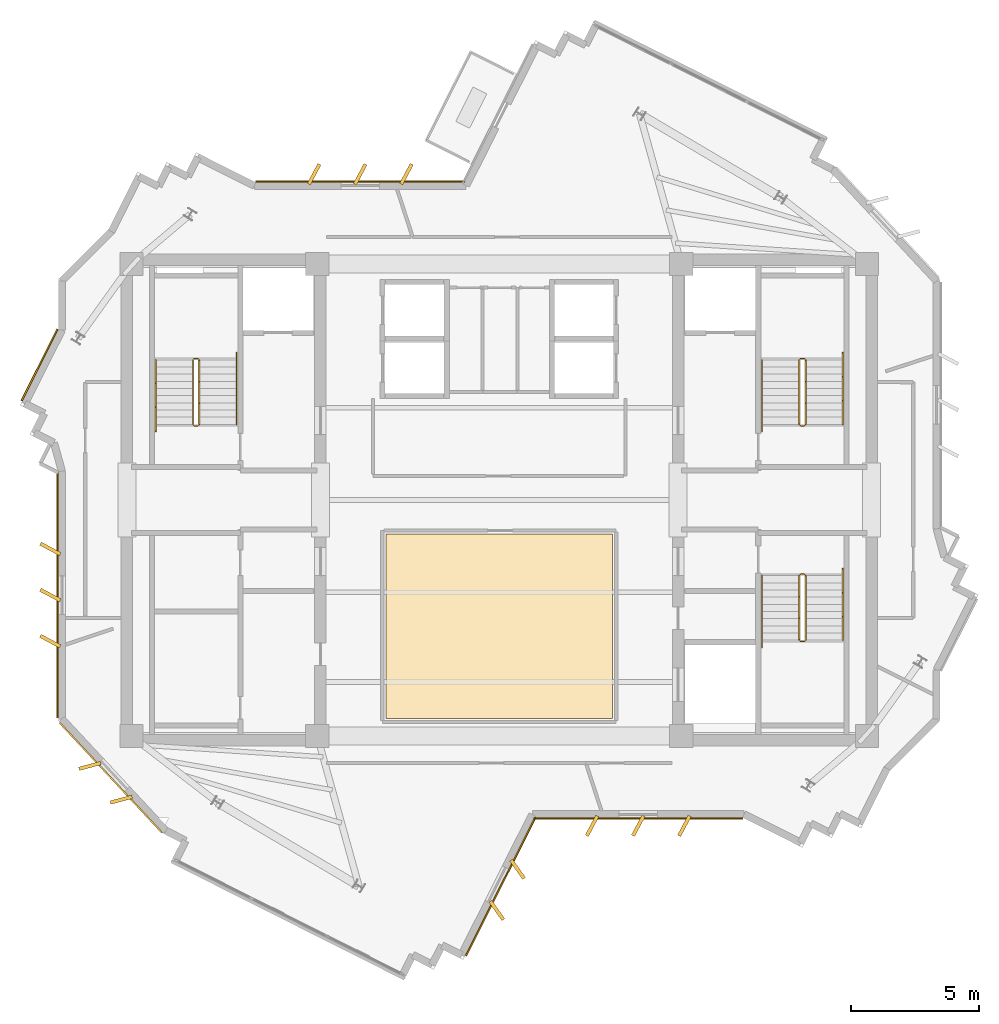
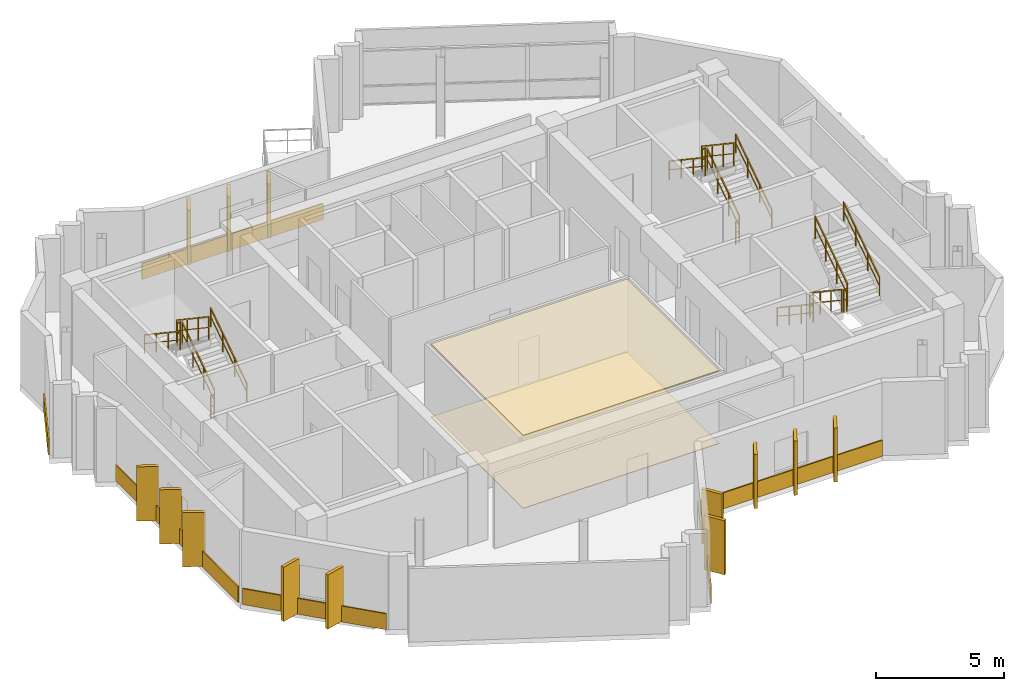
# One storey, part 10 of 11: 21 coverings, 18 railings.
"""IFC4 building model written with IfcOpenShell, lengths in metres."""

from ifc_helpers import new_model, si_unit, direction, frame, origin, origin_2d, place, context, subcontext, project, spatial, polyline, rectangle, outline, extrude, source, transform, mapped, material, layer, layer_set, type_object, element, save


model = new_model("IFC4")

# Units and contexts
model_context = context("Model", 3, precision=1e-05, world=origin(), true_north=direction((0.0, 1.0)))
body_context = subcontext(model_context, "Body", "Model", "MODEL_VIEW")
ifc_project = project(units=[si_unit("LENGTHUNIT", "METRE"), si_unit("AREAUNIT", "SQUARE_METRE"), si_unit("VOLUMEUNIT", "CUBIC_METRE"), si_unit("PLANEANGLEUNIT", "RADIAN"), si_unit("MASSUNIT", "GRAM", prefix="KILO")], contexts=[model_context])

# Site, building, storey
site_placement = place(None, origin())
site = spatial("IfcSite", under=ifc_project, at=site_placement, CompositionType="ELEMENT")
building_placement = place(site_placement, origin())
building = spatial("IfcBuilding", under=site, at=building_placement, Name="Zahravan Cultural Tower", CompositionType="ELEMENT")
storey_placement = place(building_placement, frame((0.0, 0.0, 353.550048828125)))
storey = spatial("IfcBuildingStorey", under=building, at=storey_placement, Name="L86", CompositionType="ELEMENT", Elevation=353.550048828125)

# Coverings
ifc_material_1 = material(Name="Acoustic mineral fibreboard")
ifc_layer_1 = layer(ifc_material_1, 0.0400390625)
ifc_layer_set_1 = layer_set([ifc_layer_1], Name="Acoustic mineral fibreboard")
covering_type_1 = type_object("IfcCoveringType", Name="COV-CEIL-AC20", PredefinedType="CEILING", material=ifc_layer_set_1)
covering_1_placement = place(storey_placement, frame((0.0, 0.0, 3.4599609375)))
element("IfcCovering", 1, at=covering_1_placement, inside=storey, type_object=covering_type_1, Name="L86 Acoustic Suspended Ceiling", PredefinedType="CEILING", context=body_context, shape_type="SweptSolid", body=[
    extrude(outline(polyline([(40.419921875, 25.669921875), (31.580078125, 25.669921875), (31.580078125, 18.47998046875), (40.419921875, 18.47998046875), (40.419921875, 25.669921875)])), origin(), (0.0, 0.0, 1.0), 0.0400390625),
])
ifc_material_2 = material(Name="Terrazzo flooring")
ifc_layer_2 = layer(ifc_material_2, 0.02490234375)
ifc_layer_set_2 = layer_set([ifc_layer_2], Name="Terrazzo flooring")
covering_type_2 = type_object("IfcCoveringType", Name="COV-FLR-TZ25", PredefinedType="FLOORING", material=ifc_layer_set_2)
covering_2_placement = place(storey_placement, origin())
element("IfcCovering", 2, at=covering_2_placement, inside=storey, type_object=covering_type_2, Name="L86 Polished Terrazzo Flooring", PredefinedType="FLOORING", context=body_context, shape_type="SweptSolid", body=[
    extrude(outline(polyline([(40.419921875, 25.669921875), (31.580078125, 25.669921875), (31.580078125, 18.47998046875), (40.419921875, 18.47998046875), (40.419921875, 25.669921875)])), origin(), (0.0, 0.0, 1.0), 0.02490234375),
])

# Railings
ifc_material_3 = material(Name="Steel ASTM A572 Grade 50", Category="steel")
railing_type_1 = type_object("IfcRailingType", Name="RL-STAIR-GRD1150", PredefinedType="BALUSTRADE", material=ifc_material_3)
railing_1_placement = place(storey_placement, frame((24.300048828125, 29.949951171875, 0.1875)))
element("IfcRailing", 3, at=railing_1_placement, inside=storey, type_object=railing_type_1, Name="L86 ST-W1 stair guard 1", PredefinedType="BALUSTRADE", context=body_context, shape_type="SweptSolid", body=[
    extrude(rectangle(XDim=0.05, YDim=0.05, at=origin_2d()), frame((0.0, 0.0, 1.0751953125), z_axis=(0.0, 0.830909170722, 0.55640807867), x_axis=(-1.0, 0.0, 0.0)), (0.0, 0.0, 1.0), 3.032958984375),
    extrude(rectangle(XDim=0.032, YDim=0.032, at=origin_2d()), frame((0.0, 0.0, 0.572021484375), z_axis=(0.0, 0.830909170722, 0.55640807867), x_axis=(-1.0, 0.0, 0.0)), (0.0, 0.0, 1.0), 3.032958984375),
    extrude(rectangle(XDim=0.04, YDim=0.04, at=origin_2d()), origin(), (0.0, 0.0, 1.0), 1.10009765625),
    extrude(rectangle(XDim=0.04, YDim=0.04, at=origin_2d()), frame((0.0, 0.840087890625, 0.5625)), (0.0, 0.0, 1.0), 1.10009765625),
    extrude(rectangle(XDim=0.04, YDim=0.04, at=origin_2d()), frame((0.0, 1.679931640625, 1.125)), (0.0, 0.0, 1.0), 1.10009765625),
    extrude(rectangle(XDim=0.04, YDim=0.04, at=origin_2d()), frame((0.0, 2.52001953125, 1.6875)), (0.0, 0.0, 1.0), 1.10009765625),
])
railing_2_placement = place(storey_placement, frame((24.25, 32.52001953125, 1.875)))
element("IfcRailing", 4, at=railing_2_placement, inside=storey, type_object=railing_type_1, Name="L86 ST-W1 stair guard 2", PredefinedType="BALUSTRADE", context=body_context, shape_type="SweptSolid", body=[
    extrude(rectangle(XDim=0.05, YDim=0.05, at=origin_2d()), frame((0.0, 0.0, 1.0751953125), z_axis=(-1.0, 0.0, 0.0), x_axis=(0.0, -1.0, 0.0)), (0.0, 0.0, 1.0), 0.14990234375),
    extrude(rectangle(XDim=0.032, YDim=0.032, at=origin_2d()), frame((0.0, 0.0, 0.572021484375), z_axis=(-1.0, 0.0, 0.0), x_axis=(0.0, -1.0, 0.0)), (0.0, 0.0, 1.0), 0.14990234375),
    extrude(rectangle(XDim=0.04, YDim=0.04, at=origin_2d()), origin(), (0.0, 0.0, 1.0), 1.10009765625),
    extrude(rectangle(XDim=0.04, YDim=0.04, at=origin_2d()), frame((-0.14990234375, 0.0, 0.0)), (0.0, 0.0, 1.0), 1.10009765625),
])
railing_3_placement = place(storey_placement, frame((24.050048828125, 32.469970703125, 2.0625)))
element("IfcRailing", 5, at=railing_3_placement, inside=storey, type_object=railing_type_1, Name="L86 ST-W1 stair guard 3", PredefinedType="BALUSTRADE", context=body_context, shape_type="SweptSolid", body=[
    extrude(rectangle(XDim=0.05, YDim=0.05, at=origin_2d()), frame((0.0, 0.0, 1.0751953125), z_axis=(0.0, -0.830909170722, 0.55640807867), x_axis=(1.0, 0.0, 0.0)), (0.0, 0.0, 1.0), 3.032958984375),
    extrude(rectangle(XDim=0.032, YDim=0.032, at=origin_2d()), frame((0.0, 0.0, 0.572021484375), z_axis=(0.0, -0.830909170722, 0.55640807867), x_axis=(1.0, 0.0, 0.0)), (0.0, 0.0, 1.0), 3.032958984375),
    extrude(rectangle(XDim=0.04, YDim=0.04, at=origin_2d()), origin(), (0.0, 0.0, 1.0), 1.10009765625),
    extrude(rectangle(XDim=0.04, YDim=0.04, at=origin_2d()), frame((0.0, -0.840087890625, 0.5625)), (0.0, 0.0, 1.0), 1.10009765625),
    extrude(rectangle(XDim=0.04, YDim=0.04, at=origin_2d()), frame((0.0, -1.679931640625, 1.125)), (0.0, 0.0, 1.0), 1.10009765625),
    extrude(rectangle(XDim=0.04, YDim=0.04, at=origin_2d()), frame((0.0, -2.52001953125, 1.6875)), (0.0, 0.0, 1.0), 1.10009765625),
])
railing_4_placement = place(storey_placement, frame((24.25, 29.89990234375, 0.0)))
element("IfcRailing", 6, at=railing_4_placement, inside=storey, type_object=railing_type_1, Name="L86 ST-W1 stair guard 4", PredefinedType="BALUSTRADE", context=body_context, shape_type="SweptSolid", body=[
    extrude(rectangle(XDim=0.05, YDim=0.05, at=origin_2d()), frame((0.0, 0.0, 1.0751953125), z_axis=(-1.0, 0.0, 0.0), x_axis=(0.0, -1.0, 0.0)), (0.0, 0.0, 1.0), 0.14990234375),
    extrude(rectangle(XDim=0.032, YDim=0.032, at=origin_2d()), frame((0.0, 0.0, 0.572021484375), z_axis=(-1.0, 0.0, 0.0), x_axis=(0.0, -1.0, 0.0)), (0.0, 0.0, 1.0), 0.14990234375),
    extrude(rectangle(XDim=0.04, YDim=0.04, at=origin_2d()), origin(), (0.0, 0.0, 1.0), 1.10009765625),
    extrude(rectangle(XDim=0.04, YDim=0.04, at=origin_2d()), frame((-0.14990234375, 0.0, 0.0)), (0.0, 0.0, 1.0), 1.10009765625),
])
railing_5_placement = place(storey_placement, frame((47.949951171875, 29.949951171875, 0.1875)))
element("IfcRailing", 7, at=railing_5_placement, inside=storey, type_object=railing_type_1, Name="L86 ST-E1 stair guard 1", PredefinedType="BALUSTRADE", context=body_context, shape_type="SweptSolid", body=[
    extrude(rectangle(XDim=0.05, YDim=0.05, at=origin_2d()), frame((0.0, 0.0, 1.0751953125), z_axis=(0.0, 0.830909170722, 0.55640807867), x_axis=(-1.0, 0.0, 0.0)), (0.0, 0.0, 1.0), 3.032958984375),
    extrude(rectangle(XDim=0.032, YDim=0.032, at=origin_2d()), frame((0.0, 0.0, 0.572021484375), z_axis=(0.0, 0.830909170722, 0.55640807867), x_axis=(-1.0, 0.0, 0.0)), (0.0, 0.0, 1.0), 3.032958984375),
    extrude(rectangle(XDim=0.04, YDim=0.04, at=origin_2d()), origin(), (0.0, 0.0, 1.0), 1.10009765625),
    extrude(rectangle(XDim=0.04, YDim=0.04, at=origin_2d()), frame((0.0, 0.840087890625, 0.5625)), (0.0, 0.0, 1.0), 1.10009765625),
    extrude(rectangle(XDim=0.04, YDim=0.04, at=origin_2d()), frame((0.0, 1.679931640625, 1.125)), (0.0, 0.0, 1.0), 1.10009765625),
    extrude(rectangle(XDim=0.04, YDim=0.04, at=origin_2d()), frame((0.0, 2.52001953125, 1.6875)), (0.0, 0.0, 1.0), 1.10009765625),
])
railing_6_placement = place(storey_placement, frame((47.89990234375, 32.52001953125, 1.875)))
element("IfcRailing", 8, at=railing_6_placement, inside=storey, type_object=railing_type_1, Name="L86 ST-E1 stair guard 2", PredefinedType="BALUSTRADE", context=body_context, shape_type="SweptSolid", body=[
    extrude(rectangle(XDim=0.05, YDim=0.05, at=origin_2d()), frame((0.0, 0.0, 1.0751953125), z_axis=(-1.0, 0.0, 0.0), x_axis=(0.0, -1.0, 0.0)), (0.0, 0.0, 1.0), 0.14990234375),
    extrude(rectangle(XDim=0.032, YDim=0.032, at=origin_2d()), frame((0.0, 0.0, 0.572021484375), z_axis=(-1.0, 0.0, 0.0), x_axis=(0.0, -1.0, 0.0)), (0.0, 0.0, 1.0), 0.14990234375),
    extrude(rectangle(XDim=0.04, YDim=0.04, at=origin_2d()), origin(), (0.0, 0.0, 1.0), 1.10009765625),
    extrude(rectangle(XDim=0.04, YDim=0.04, at=origin_2d()), frame((-0.14990234375, 0.0, 0.0)), (0.0, 0.0, 1.0), 1.10009765625),
])
railing_7_placement = place(storey_placement, frame((47.699951171875, 32.469970703125, 2.0625)))
element("IfcRailing", 9, at=railing_7_placement, inside=storey, type_object=railing_type_1, Name="L86 ST-E1 stair guard 3", PredefinedType="BALUSTRADE", context=body_context, shape_type="SweptSolid", body=[
    extrude(rectangle(XDim=0.05, YDim=0.05, at=origin_2d()), frame((0.0, 0.0, 1.0751953125), z_axis=(0.0, -0.830909170722, 0.55640807867), x_axis=(1.0, 0.0, 0.0)), (0.0, 0.0, 1.0), 3.032958984375),
    extrude(rectangle(XDim=0.032, YDim=0.032, at=origin_2d()), frame((0.0, 0.0, 0.572021484375), z_axis=(0.0, -0.830909170722, 0.55640807867), x_axis=(1.0, 0.0, 0.0)), (0.0, 0.0, 1.0), 3.032958984375),
    extrude(rectangle(XDim=0.04, YDim=0.04, at=origin_2d()), origin(), (0.0, 0.0, 1.0), 1.10009765625),
    extrude(rectangle(XDim=0.04, YDim=0.04, at=origin_2d()), frame((0.0, -0.840087890625, 0.5625)), (0.0, 0.0, 1.0), 1.10009765625),
    extrude(rectangle(XDim=0.04, YDim=0.04, at=origin_2d()), frame((0.0, -1.679931640625, 1.125)), (0.0, 0.0, 1.0), 1.10009765625),
    extrude(rectangle(XDim=0.04, YDim=0.04, at=origin_2d()), frame((0.0, -2.52001953125, 1.6875)), (0.0, 0.0, 1.0), 1.10009765625),
])
railing_8_placement = place(storey_placement, frame((47.89990234375, 29.89990234375, 0.0)))
element("IfcRailing", 10, at=railing_8_placement, inside=storey, type_object=railing_type_1, Name="L86 ST-E1 stair guard 4", PredefinedType="BALUSTRADE", context=body_context, shape_type="SweptSolid", body=[
    extrude(rectangle(XDim=0.05, YDim=0.05, at=origin_2d()), frame((0.0, 0.0, 1.0751953125), z_axis=(-1.0, 0.0, 0.0), x_axis=(0.0, -1.0, 0.0)), (0.0, 0.0, 1.0), 0.14990234375),
    extrude(rectangle(XDim=0.032, YDim=0.032, at=origin_2d()), frame((0.0, 0.0, 0.572021484375), z_axis=(-1.0, 0.0, 0.0), x_axis=(0.0, -1.0, 0.0)), (0.0, 0.0, 1.0), 0.14990234375),
    extrude(rectangle(XDim=0.04, YDim=0.04, at=origin_2d()), origin(), (0.0, 0.0, 1.0), 1.10009765625),
    extrude(rectangle(XDim=0.04, YDim=0.04, at=origin_2d()), frame((-0.14990234375, 0.0, 0.0)), (0.0, 0.0, 1.0), 1.10009765625),
])
railing_9_placement = place(storey_placement, frame((47.699951171875, 24.050048828125, 0.1875)))
element("IfcRailing", 11, at=railing_9_placement, inside=storey, type_object=railing_type_1, Name="L86 ST-E2 stair guard 1", PredefinedType="BALUSTRADE", context=body_context, shape_type="SweptSolid", body=[
    extrude(rectangle(XDim=0.05, YDim=0.05, at=origin_2d()), frame((0.0, 0.0, 1.0751953125), z_axis=(0.0, -0.830909170722, 0.55640807867), x_axis=(1.0, 0.0, 0.0)), (0.0, 0.0, 1.0), 3.032958984375),
    extrude(rectangle(XDim=0.032, YDim=0.032, at=origin_2d()), frame((0.0, 0.0, 0.572021484375), z_axis=(0.0, -0.830909170722, 0.55640807867), x_axis=(1.0, 0.0, 0.0)), (0.0, 0.0, 1.0), 3.032958984375),
    extrude(rectangle(XDim=0.04, YDim=0.04, at=origin_2d()), origin(), (0.0, 0.0, 1.0), 1.10009765625),
    extrude(rectangle(XDim=0.04, YDim=0.04, at=origin_2d()), frame((0.0, -0.840087890625, 0.5625)), (0.0, 0.0, 1.0), 1.10009765625),
    extrude(rectangle(XDim=0.04, YDim=0.04, at=origin_2d()), frame((0.0, -1.679931640625, 1.125)), (0.0, 0.0, 1.0), 1.10009765625),
    extrude(rectangle(XDim=0.04, YDim=0.04, at=origin_2d()), frame((0.0, -2.52001953125, 1.6875)), (0.0, 0.0, 1.0), 1.10009765625),
])
railing_10_placement = place(storey_placement, frame((47.75, 21.47998046875, 1.875)))
element("IfcRailing", 12, at=railing_10_placement, inside=storey, type_object=railing_type_1, Name="L86 ST-E2 stair guard 2", PredefinedType="BALUSTRADE", context=body_context, shape_type="SweptSolid", body=[
    extrude(rectangle(XDim=0.05, YDim=0.05, at=origin_2d()), frame((0.0, 0.0, 1.0751953125), z_axis=(1.0, 0.0, 0.0), x_axis=(0.0, 1.0, 0.0)), (0.0, 0.0, 1.0), 0.14990234375),
    extrude(rectangle(XDim=0.032, YDim=0.032, at=origin_2d()), frame((0.0, 0.0, 0.572021484375), z_axis=(1.0, 0.0, 0.0), x_axis=(0.0, 1.0, 0.0)), (0.0, 0.0, 1.0), 0.14990234375),
    extrude(rectangle(XDim=0.04, YDim=0.04, at=origin_2d()), origin(), (0.0, 0.0, 1.0), 1.10009765625),
    extrude(rectangle(XDim=0.04, YDim=0.04, at=origin_2d()), frame((0.14990234375, 0.0, 0.0)), (0.0, 0.0, 1.0), 1.10009765625),
])
railing_11_placement = place(storey_placement, frame((47.949951171875, 21.530029296875, 2.0625)))
element("IfcRailing", 13, at=railing_11_placement, inside=storey, type_object=railing_type_1, Name="L86 ST-E2 stair guard 3", PredefinedType="BALUSTRADE", context=body_context, shape_type="SweptSolid", body=[
    extrude(rectangle(XDim=0.05, YDim=0.05, at=origin_2d()), frame((0.0, 0.0, 1.0751953125), z_axis=(0.0, 0.830909170722, 0.55640807867), x_axis=(-1.0, 0.0, 0.0)), (0.0, 0.0, 1.0), 3.032958984375),
    extrude(rectangle(XDim=0.032, YDim=0.032, at=origin_2d()), frame((0.0, 0.0, 0.572021484375), z_axis=(0.0, 0.830909170722, 0.55640807867), x_axis=(-1.0, 0.0, 0.0)), (0.0, 0.0, 1.0), 3.032958984375),
    extrude(rectangle(XDim=0.04, YDim=0.04, at=origin_2d()), origin(), (0.0, 0.0, 1.0), 1.10009765625),
    extrude(rectangle(XDim=0.04, YDim=0.04, at=origin_2d()), frame((0.0, 0.840087890625, 0.5625)), (0.0, 0.0, 1.0), 1.10009765625),
    extrude(rectangle(XDim=0.04, YDim=0.04, at=origin_2d()), frame((0.0, 1.679931640625, 1.125)), (0.0, 0.0, 1.0), 1.10009765625),
    extrude(rectangle(XDim=0.04, YDim=0.04, at=origin_2d()), frame((0.0, 2.52001953125, 1.6875)), (0.0, 0.0, 1.0), 1.10009765625),
])
railing_12_placement = place(storey_placement, frame((47.75, 24.10009765625, 0.0)))
element("IfcRailing", 14, at=railing_12_placement, inside=storey, type_object=railing_type_1, Name="L86 ST-E2 stair guard 4", PredefinedType="BALUSTRADE", context=body_context, shape_type="SweptSolid", body=[
    extrude(rectangle(XDim=0.05, YDim=0.05, at=origin_2d()), frame((0.0, 0.0, 1.0751953125), z_axis=(1.0, 0.0, 0.0), x_axis=(0.0, 1.0, 0.0)), (0.0, 0.0, 1.0), 0.14990234375),
    extrude(rectangle(XDim=0.032, YDim=0.032, at=origin_2d()), frame((0.0, 0.0, 0.572021484375), z_axis=(1.0, 0.0, 0.0), x_axis=(0.0, 1.0, 0.0)), (0.0, 0.0, 1.0), 0.14990234375),
    extrude(rectangle(XDim=0.04, YDim=0.04, at=origin_2d()), origin(), (0.0, 0.0, 1.0), 1.10009765625),
    extrude(rectangle(XDim=0.04, YDim=0.04, at=origin_2d()), frame((0.14990234375, 0.0, 0.0)), (0.0, 0.0, 1.0), 1.10009765625),
])
railing_type_2 = type_object("IfcRailingType", Name="RL-STAIR-HR900", PredefinedType="HANDRAIL", material=ifc_material_3)
railing_13_placement = place(storey_placement, frame((25.75, 29.949951171875, 0.1875)))
element("IfcRailing", 15, at=railing_13_placement, inside=storey, type_object=railing_type_2, Name="L86 ST-W1 stair handrail 1", PredefinedType="HANDRAIL", context=body_context, shape_type="SweptSolid", body=[
    extrude(rectangle(XDim=0.05, YDim=0.05, at=origin_2d()), frame((0.0, 0.0, 0.875), z_axis=(0.0, 0.830911662861, 0.55640435703), x_axis=(-1.0, 0.0, 0.0)), (0.0, 0.0, 1.0), 3.369873046875),
    extrude(rectangle(XDim=0.032, YDim=0.032, at=origin_2d()), frame((0.0, 0.0, 0.468017578125), z_axis=(0.0, 0.830911662861, 0.55640435703), x_axis=(-1.0, 0.0, 0.0)), (0.0, 0.0, 1.0), 3.369873046875),
    extrude(rectangle(XDim=0.04, YDim=0.04, at=origin_2d()), origin(), (0.0, 0.0, 1.0), 0.89990234375),
    extrude(rectangle(XDim=0.04, YDim=0.04, at=origin_2d()), frame((0.0, 0.933349609375, 0.625)), (0.0, 0.0, 1.0), 0.89990234375),
    extrude(rectangle(XDim=0.04, YDim=0.04, at=origin_2d()), frame((0.0, 1.86669921875, 1.25)), (0.0, 0.0, 1.0), 0.89990234375),
    extrude(rectangle(XDim=0.04, YDim=0.04, at=origin_2d()), frame((0.0, 2.800048828125, 1.875)), (0.0, 0.0, 1.0), 0.89990234375),
])
railing_14_placement = place(storey_placement, frame((22.60009765625, 32.469970703125, 2.0625)))
element("IfcRailing", 16, at=railing_14_placement, inside=storey, type_object=railing_type_2, Name="L86 ST-W1 stair handrail 2", PredefinedType="HANDRAIL", context=body_context, shape_type="SweptSolid", body=[
    extrude(rectangle(XDim=0.05, YDim=0.05, at=origin_2d()), frame((0.0, 0.0, 0.875), z_axis=(0.0, -0.830911662861, 0.55640435703), x_axis=(1.0, 0.0, 0.0)), (0.0, 0.0, 1.0), 3.369873046875),
    extrude(rectangle(XDim=0.032, YDim=0.032, at=origin_2d()), frame((0.0, 0.0, 0.468017578125), z_axis=(0.0, -0.830911662861, 0.55640435703), x_axis=(1.0, 0.0, 0.0)), (0.0, 0.0, 1.0), 3.369873046875),
    extrude(rectangle(XDim=0.04, YDim=0.04, at=origin_2d()), origin(), (0.0, 0.0, 1.0), 0.89990234375),
    extrude(rectangle(XDim=0.04, YDim=0.04, at=origin_2d()), frame((0.0, -0.933349609375, 0.625)), (0.0, 0.0, 1.0), 0.89990234375),
    extrude(rectangle(XDim=0.04, YDim=0.04, at=origin_2d()), frame((0.0, -1.86669921875, 1.25)), (0.0, 0.0, 1.0), 0.89990234375),
    extrude(rectangle(XDim=0.04, YDim=0.04, at=origin_2d()), frame((0.0, -2.800048828125, 1.875)), (0.0, 0.0, 1.0), 0.89990234375),
])
railing_15_placement = place(storey_placement, frame((49.39990234375, 29.949951171875, 0.1875)))
element("IfcRailing", 17, at=railing_15_placement, inside=storey, type_object=railing_type_2, Name="L86 ST-E1 stair handrail 1", PredefinedType="HANDRAIL", context=body_context, shape_type="SweptSolid", body=[
    extrude(rectangle(XDim=0.05, YDim=0.05, at=origin_2d()), frame((0.0, 0.0, 0.875), z_axis=(0.0, 0.830911662861, 0.55640435703), x_axis=(-1.0, 0.0, 0.0)), (0.0, 0.0, 1.0), 3.369873046875),
    extrude(rectangle(XDim=0.032, YDim=0.032, at=origin_2d()), frame((0.0, 0.0, 0.468017578125), z_axis=(0.0, 0.830911662861, 0.55640435703), x_axis=(-1.0, 0.0, 0.0)), (0.0, 0.0, 1.0), 3.369873046875),
    extrude(rectangle(XDim=0.04, YDim=0.04, at=origin_2d()), origin(), (0.0, 0.0, 1.0), 0.89990234375),
    extrude(rectangle(XDim=0.04, YDim=0.04, at=origin_2d()), frame((0.0, 0.933349609375, 0.625)), (0.0, 0.0, 1.0), 0.89990234375),
    extrude(rectangle(XDim=0.04, YDim=0.04, at=origin_2d()), frame((0.0, 1.86669921875, 1.25)), (0.0, 0.0, 1.0), 0.89990234375),
    extrude(rectangle(XDim=0.04, YDim=0.04, at=origin_2d()), frame((0.0, 2.800048828125, 1.875)), (0.0, 0.0, 1.0), 0.89990234375),
])
for number, where, name in (
    (18, (46.25, 32.469970703125, 2.0625), "L86 ST-E1 stair handrail 2"),
    (19, (46.25, 24.050048828125, 0.1875), "L86 ST-E2 stair handrail 1"),
):
    element("IfcRailing", number, at=place(storey_placement, frame(where)), inside=storey, type_object=railing_type_2, Name=name, PredefinedType="HANDRAIL", context=body_context, shape_type="SweptSolid", body=[
        extrude(rectangle(XDim=0.05, YDim=0.05, at=origin_2d()), frame((0.0, 0.0, 0.875), z_axis=(0.0, -0.830911662861, 0.55640435703), x_axis=(1.0, 0.0, 0.0)), (0.0, 0.0, 1.0), 3.369873046875),
        extrude(rectangle(XDim=0.032, YDim=0.032, at=origin_2d()), frame((0.0, 0.0, 0.468017578125), z_axis=(0.0, -0.830911662861, 0.55640435703), x_axis=(1.0, 0.0, 0.0)), (0.0, 0.0, 1.0), 3.369873046875),
        extrude(rectangle(XDim=0.04, YDim=0.04, at=origin_2d()), origin(), (0.0, 0.0, 1.0), 0.89990234375),
        extrude(rectangle(XDim=0.04, YDim=0.04, at=origin_2d()), frame((0.0, -0.933349609375, 0.625)), (0.0, 0.0, 1.0), 0.89990234375),
        extrude(rectangle(XDim=0.04, YDim=0.04, at=origin_2d()), frame((0.0, -1.86669921875, 1.25)), (0.0, 0.0, 1.0), 0.89990234375),
        extrude(rectangle(XDim=0.04, YDim=0.04, at=origin_2d()), frame((0.0, -2.800048828125, 1.875)), (0.0, 0.0, 1.0), 0.89990234375),
    ])
railing_16_placement = place(storey_placement, frame((49.39990234375, 21.530029296875, 2.0625)))
element("IfcRailing", 20, at=railing_16_placement, inside=storey, type_object=railing_type_2, Name="L86 ST-E2 stair handrail 2", PredefinedType="HANDRAIL", context=body_context, shape_type="SweptSolid", body=[
    extrude(rectangle(XDim=0.05, YDim=0.05, at=origin_2d()), frame((0.0, 0.0, 0.875), z_axis=(0.0, 0.830911662861, 0.55640435703), x_axis=(-1.0, 0.0, 0.0)), (0.0, 0.0, 1.0), 3.369873046875),
    extrude(rectangle(XDim=0.032, YDim=0.032, at=origin_2d()), frame((0.0, 0.0, 0.468017578125), z_axis=(0.0, 0.830911662861, 0.55640435703), x_axis=(-1.0, 0.0, 0.0)), (0.0, 0.0, 1.0), 3.369873046875),
    extrude(rectangle(XDim=0.04, YDim=0.04, at=origin_2d()), origin(), (0.0, 0.0, 1.0), 0.89990234375),
    extrude(rectangle(XDim=0.04, YDim=0.04, at=origin_2d()), frame((0.0, 0.933349609375, 0.625)), (0.0, 0.0, 1.0), 0.89990234375),
    extrude(rectangle(XDim=0.04, YDim=0.04, at=origin_2d()), frame((0.0, 1.86669921875, 1.25)), (0.0, 0.0, 1.0), 0.89990234375),
    extrude(rectangle(XDim=0.04, YDim=0.04, at=origin_2d()), frame((0.0, 2.800048828125, 1.875)), (0.0, 0.0, 1.0), 0.89990234375),
])

# Coverings
ifc_material_4 = material(Name="Terracotta ceramic cladding", Category="masonry")
ifc_layer_3 = layer(ifc_material_4, 0.06005859375)
ifc_layer_set_3 = layer_set([ifc_layer_3], Name="Terracotta ceramic cladding")
covering_type_3 = type_object("IfcCoveringType", Name="COV-CLAD-TC60", PredefinedType="CLADDING", material=ifc_layer_set_3)
shared_shape_1 = source(origin(), body_context, "Body", "SweptSolid", [
    extrude(rectangle(XDim=0.8798828125, YDim=0.139892578125, at=origin_2d()), origin(), (0.0, 0.0, 1.0), 2.580078125),
])
for number, where, z_axis, x_axis, name in (
    (21, (43.22119140625, 14.2900390625, 0.0498046875), (0.0, 0.0, 1.0), (-0.469471562786, -0.882947592859, 0.0), "L86 Herringbone Terracotta Fin 06"),
    (22, (41.42138671875, 14.2900390625, 0.0498046875), (0.0, 0.0, 1.0), (-0.469471562786, -0.882947592859, 0.0), "L86 Herringbone Terracotta Fin 07"),
    (23, (39.621337890625, 14.2900390625, 0.0498046875), (0.0, 0.0, 1.0), (-0.469471562786, -0.882947592859, 0.0), "L86 Herringbone Terracotta Fin 08"),
    (24, (36.71435546875, 12.596435546875, 0.0498046875), (0.0, 0.0, 1.0), (0.577843380007, -0.816147675474, 0.0), "L86 Herringbone Terracotta Fin 09"),
    (25, (35.905517578125, 10.98828125, 0.0498046875), (0.0, 0.0, 1.0), (0.577843380007, -0.816147675474, 0.0), "L86 Herringbone Terracotta Fin 10"),
    (26, (21.256591796875, 15.31005859375, 0.0498046875), (0.0, 0.0, 1.0), (-0.966110785991, -0.25812777687, 0.0), "L86 Herringbone Terracotta Fin 11"),
    (27, (20.02978515625, 16.627197265625, 0.0498046875), (0.0, 0.0, 1.0), (-0.966110785991, -0.25812777687, 0.0), "L86 Herringbone Terracotta Fin 12"),
    (28, (18.489990234375, 21.49169921875, 0.0498046875), (0.0, 0.0, 1.0), (-0.882947592859, 0.469471562786, 0.0), "L86 Herringbone Terracotta Fin 13"),
    (29, (18.489990234375, 23.291748046875, 0.0498046875), (0.0, 0.0, 1.0), (-0.882947592859, 0.469471562786, 0.0), "L86 Herringbone Terracotta Fin 14"),
    (30, (18.489990234375, 25.091796875, 0.0498046875), (0.0, 0.0, 1.0), (-0.882947592859, 0.469471562786, 0.0), "L86 Herringbone Terracotta Fin 15"),
    (31, (28.77880859375, 39.7099609375, 0.0498046875), (0.0, 0.0, 1.0), (0.469471562786, 0.882947592859, 0.0), "L86 Herringbone Terracotta Fin 16"),
    (32, (30.57861328125, 39.7099609375, 0.0498046875), (0.0, 0.0, 1.0), (0.469471562786, 0.882947592859, 0.0), "L86 Herringbone Terracotta Fin 17"),
    (33, (32.378662109375, 39.7099609375, 0.0498046875), (0.0, 0.0, 1.0), (0.469471562786, 0.882947592859, 0.0), "L86 Herringbone Terracotta Fin 18"),
):
    element("IfcCovering", number, at=place(storey_placement, frame(where, z_axis=z_axis, x_axis=x_axis)), inside=storey, type_object=covering_type_3, Name=name, PredefinedType="CLADDING", context=body_context, shape_type="MappedRepresentation", body=[
        mapped(shared_shape_1, transform((0.0, 0.0, 0.0), x_axis=(1.0, 0.0, 0.0), y_axis=(0.0, 1.0, 0.0), z_axis=(0.0, 0.0, 1.0), scale=1.0)),
    ])
shared_shape_2 = source(origin(), body_context, "Body", "SweptSolid", [
    extrude(rectangle(XDim=6.04638671875, YDim=0.06005859375, at=origin_2d()), origin(), (0.0, 0.0, 1.0), 0.760009765625),
])
covering_3_placement = place(storey_placement, frame((36.055419921875, 11.92041015625, 0.02001953125), z_axis=(0.0, 0.0, 1.0), x_axis=(-0.44933459082, -0.893363546096, 0.0)))
element("IfcCovering", 34, at=covering_3_placement, inside=storey, type_object=covering_type_3, Name="L86 Terracotta Spandrel Cladding 24", PredefinedType="CLADDING", context=body_context, shape_type="MappedRepresentation", body=[
    mapped(shared_shape_2, transform((0.0, 0.0, 0.0), x_axis=(1.0, 0.0, 0.0), y_axis=(0.0, 1.0, 0.0), z_axis=(0.0, 0.0, 1.0), scale=1.0)),
])
shared_shape_3 = source(origin(), body_context, "Body", "SweptSolid", [
    extrude(rectangle(XDim=5.86474609375, YDim=0.06005859375, at=origin_2d()), origin(), (0.0, 0.0, 1.0), 0.760009765625),
])
covering_4_placement = place(storey_placement, frame((20.851806640625, 16.162841796875, 0.02001953125), z_axis=(0.0, 0.0, 1.0), x_axis=(-0.681474839761, 0.73184154212, 0.0)))
element("IfcCovering", 35, at=covering_4_placement, inside=storey, type_object=covering_type_3, Name="L86 Terracotta Spandrel Cladding 31", PredefinedType="CLADDING", context=body_context, shape_type="MappedRepresentation", body=[
    mapped(shared_shape_3, transform((0.0, 0.0, 0.0), x_axis=(1.0, 0.0, 0.0), y_axis=(0.0, 1.0, 0.0), z_axis=(0.0, 0.0, 1.0), scale=1.0)),
])
shared_shape_4 = source(origin(), body_context, "Body", "SweptSolid", [
    extrude(rectangle(XDim=9.5673828125, YDim=0.06005859375, at=origin_2d()), origin(), (0.0, 0.0, 1.0), 0.760009765625),
])
covering_5_placement = place(storey_placement, frame((18.77490234375, 23.291748046875, 0.02001953125), z_axis=(0.0, 0.0, 1.0), x_axis=(0.0, 1.0, 0.0)))
element("IfcCovering", 36, at=covering_5_placement, inside=storey, type_object=covering_type_3, Name="L86 Terracotta Spandrel Cladding 32", PredefinedType="CLADDING", context=body_context, shape_type="MappedRepresentation", body=[
    mapped(shared_shape_4, transform((0.0, 0.0, 0.0), x_axis=(1.0, 0.0, 0.0), y_axis=(0.0, 1.0, 0.0), z_axis=(0.0, 0.0, 1.0), scale=1.0)),
])
shared_shape_5 = source(origin(), body_context, "Body", "SweptSolid", [
    extrude(rectangle(XDim=3.117919921875, YDim=0.06005859375, at=origin_2d()), origin(), (0.0, 0.0, 1.0), 0.760009765625),
])
covering_6_placement = place(storey_placement, frame((18.069580078125, 32.26708984375, 0.02001953125), z_axis=(0.0, 0.0, 1.0), x_axis=(0.449318998616, 0.893371388328, 0.0)))
element("IfcCovering", 37, at=covering_6_placement, inside=storey, type_object=covering_type_3, Name="L86 Terracotta Spandrel Cladding 37", PredefinedType="CLADDING", context=body_context, shape_type="MappedRepresentation", body=[
    mapped(shared_shape_5, transform((0.0, 0.0, 0.0), x_axis=(1.0, 0.0, 0.0), y_axis=(0.0, 1.0, 0.0), z_axis=(0.0, 0.0, 1.0), scale=1.0)),
])
shared_shape_6 = source(origin(), body_context, "Body", "SweptSolid", [
    extrude(rectangle(XDim=8.1650390625, YDim=0.06005859375, at=origin_2d()), origin(), (0.0, 0.0, 1.0), 0.760009765625),
])
for number, where, z_axis, x_axis, name in (
    (38, (41.42138671875, 14.574951171875, 0.02001953125), (0.0, 0.0, 1.0), (-1.0, 0.0, 0.0), "L86 Terracotta Spandrel Cladding 23"),
    (39, (30.57861328125, 39.425048828125, 0.02001953125), (0.0, 0.0, 1.0), (1.0, 0.0, 0.0), "L86 Terracotta Spandrel Cladding 46"),
):
    element("IfcCovering", number, at=place(storey_placement, frame(where, z_axis=z_axis, x_axis=x_axis)), inside=storey, type_object=covering_type_3, Name=name, PredefinedType="CLADDING", context=body_context, shape_type="MappedRepresentation", body=[
        mapped(shared_shape_6, transform((0.0, 0.0, 0.0), x_axis=(1.0, 0.0, 0.0), y_axis=(0.0, 1.0, 0.0), z_axis=(0.0, 0.0, 1.0), scale=1.0)),
    ])

save(model, "model.ifc")
